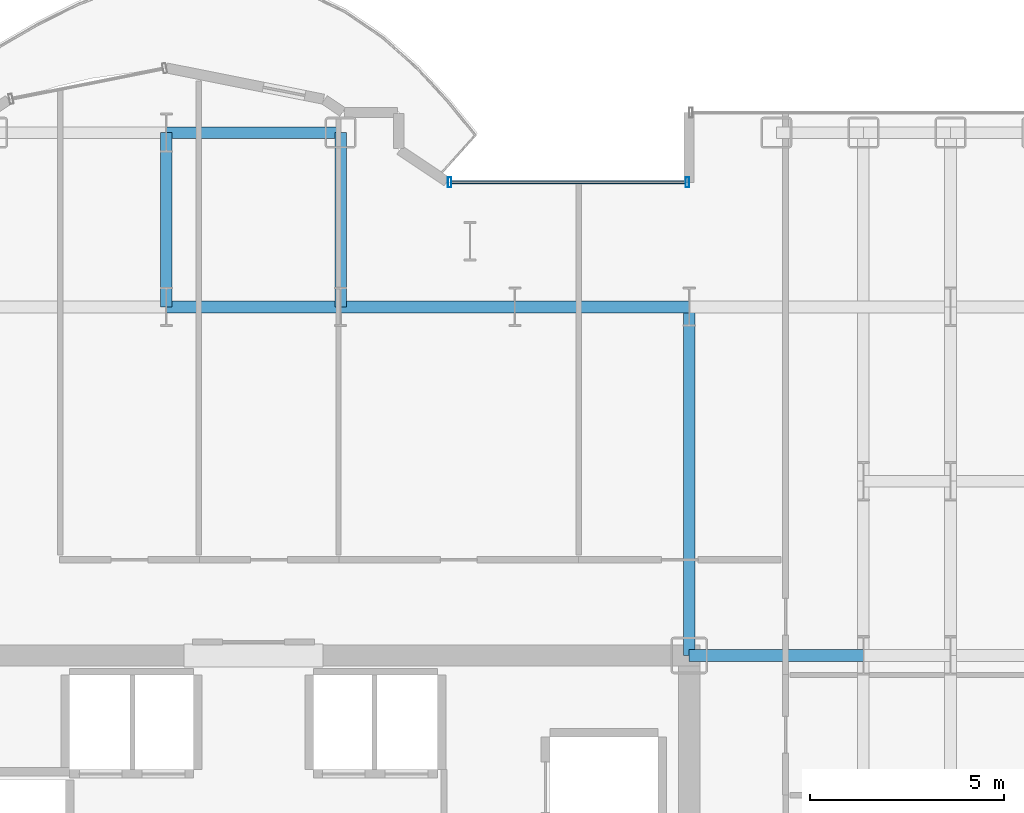
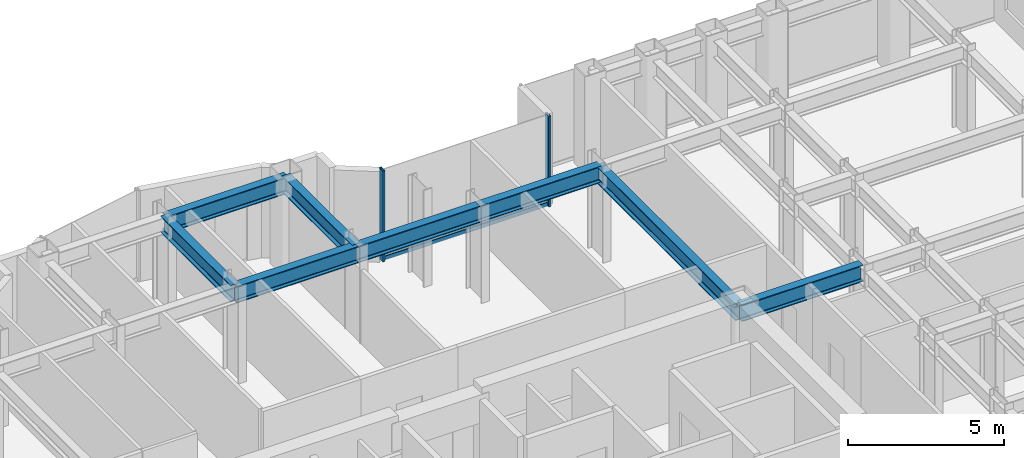
# One storey, part 14 of 29: 8 beams, 3 members, 1 element without a shape of its own.
"""IFC4 building model written with IfcOpenShell, lengths in metres."""

from ifc_helpers import new_model, si_unit, direction, frame, origin, origin_2d, place, context, subcontext, project, spatial, hollow_rectangle, i_section, extrude, source, transform, mapped, material, layer, layer_set, material_profile, profile_set, type_object, element, aggregate, save


model = new_model("IFC4")

# Units and contexts
model_context = context("Model", 3, precision=1e-05, world=origin(), true_north=direction((0.0, 1.0)))
body_context = subcontext(model_context, "Body", "Model", "MODEL_VIEW")
ifc_project = project(units=[si_unit("LENGTHUNIT", "METRE"), si_unit("AREAUNIT", "SQUARE_METRE"), si_unit("VOLUMEUNIT", "CUBIC_METRE"), si_unit("PLANEANGLEUNIT", "RADIAN"), si_unit("MASSUNIT", "GRAM", prefix="KILO")], contexts=[model_context])

# Site, building, storey
site_placement = place(None, origin())
site = spatial("IfcSite", under=ifc_project, at=site_placement, CompositionType="ELEMENT")
building_placement = place(site_placement, origin())
building = spatial("IfcBuilding", under=site, at=building_placement, Name="Nefas-Gora Pilgrimage Tower", CompositionType="ELEMENT")
storey_placement = place(building_placement, frame((0.0, 0.0, 125.0)))
storey = spatial("IfcBuildingStorey", under=building, at=storey_placement, Name="L30", CompositionType="ELEMENT", Elevation=125.0)

# Beams
ifc_material_1 = material(Name="Steel S355", Category="steel")
ifc_material_profile_1 = material_profile(ifc_material_1, i_section(OverallWidth=0.300048828125, OverallDepth=0.64990234375, WebThickness=0.01611328125, FlangeThickness=0.031005859375, FilletRadius=0.027099609375, at=origin_2d()), Name="HEB 650")
ifc_profile_set_1 = profile_set([ifc_material_profile_1], Name="Steel S355")
beam_type = type_object("IfcBeamType", Name="BM-GIR-HEB650", PredefinedType="BEAM", material=ifc_profile_set_1)
shared_shape_1 = source(origin(), body_context, "Body", "SweptSolid", [
    extrude(i_section(OverallWidth=0.300048828125, OverallDepth=0.64990234375, WebThickness=0.01611328125, FlangeThickness=0.031005859375, FilletRadius=0.027099609375, at=origin_2d()), origin(), (0.0, 0.0, 1.0), 9.0),
])
beam_placement = place(storey_placement, frame((11.25, 9.0, 3.22509765625), z_axis=(0.0, 1.0, 0.0), x_axis=(-1.0, 0.0, 0.0)))
element("IfcBeam", 1, at=beam_placement, inside=storey, type_object=beam_type, Name="L30 G-03 beam", PredefinedType="BEAM", context=body_context, shape_type="MappedRepresentation", body=[
    mapped(shared_shape_1, transform((0.0, 0.0, 0.0), x_axis=(1.0, 0.0, 0.0), y_axis=(0.0, 1.0, 0.0), z_axis=(0.0, 0.0, 1.0), scale=1.0)),
])
shared_shape_2 = source(origin(), body_context, "Body", "SweptSolid", [
    extrude(i_section(OverallWidth=0.300048828125, OverallDepth=0.64990234375, WebThickness=0.01611328125, FlangeThickness=0.031005859375, FilletRadius=0.027099609375, at=origin_2d()), origin(), (0.0, 0.0, 1.0), 4.5),
])
for number, where, z_axis, x_axis, name in (
    (2, (-2.25, 18.0, 3.22509765625), (0.0, 1.0, 0.0), (-1.0, 0.0, 0.0), "L30 G-03 beam"),
    (3, (-2.25, 18.0, 3.22509765625), (1.0, 0.0, 0.0), (0.0, 1.0, 0.0), "L30 G-03 beam"),
    (4, (-2.25, 22.5, 3.22509765625), (1.0, 0.0, 0.0), (0.0, 1.0, 0.0), "L30 G-03 beam"),
    (5, (2.25, 18.0, 3.22509765625), (0.0, 1.0, 0.0), (-1.0, 0.0, 0.0), "L30 G-03 beam"),
    (6, (2.25, 18.0, 3.22509765625), (1.0, 0.0, 0.0), (0.0, 1.0, 0.0), "L30 G-03 beam"),
    (7, (6.75, 18.0, 3.22509765625), (1.0, 0.0, 0.0), (0.0, 1.0, 0.0), "L30 G-03 beam"),
    (8, (11.25, 9.0, 3.22509765625), (1.0, 0.0, 0.0), (0.0, 1.0, 0.0), "L30 G-03 beam"),
):
    element("IfcBeam", number, at=place(storey_placement, frame(where, z_axis=z_axis, x_axis=x_axis)), inside=storey, type_object=beam_type, Name=name, PredefinedType="BEAM", context=body_context, shape_type="MappedRepresentation", body=[
        mapped(shared_shape_2, transform((0.0, 0.0, 0.0), x_axis=(1.0, 0.0, 0.0), y_axis=(0.0, 1.0, 0.0), z_axis=(0.0, 0.0, 1.0), scale=1.0)),
    ])

# Curtain wall, members
ifc_material_2 = material(Name="Dark ceramic-fritted solar-control aluminium-glass curtain wall", Category="aluminium")
ifc_layer = layer(ifc_material_2, 0.219970703125)
ifc_layer_set = layer_set([ifc_layer], Name="Dark ceramic-fritted solar-control aluminium-glass curtain wall")
curtain_wall_type = type_object("IfcCurtainWallType", Name="CW-SYS-5", PredefinedType="NOTDEFINED", material=ifc_layer_set)
curtain_wall_placement = place(storey_placement, origin())
curtain_wall = element("IfcCurtainWall", 9, at=curtain_wall_placement, inside=storey, type_object=curtain_wall_type, Name="L30 Unitised Curtain Wall CW5", PredefinedType="NOTDEFINED")
ifc_material_3 = material(Name="Anodised architectural aluminium", Category="aluminium")
ifc_material_profile_2 = material_profile(ifc_material_3, hollow_rectangle(XDim=0.090087890625, YDim=0.260009765625, WallThickness=0.006103515625, InnerFilletRadius=0.006103515625, OuterFilletRadius=0.011962890625, at=origin_2d()), Name="ALU MULLION 90x260")
ifc_profile_set_2 = profile_set([ifc_material_profile_2], Name="Anodised architectural aluminium")
member_type_1 = type_object("IfcMemberType", Name="CWM-MUL-5", PredefinedType="MULLION", material=ifc_profile_set_2)
shared_shape_3 = source(origin(), body_context, "Body", "SweptSolid", [
    extrude(hollow_rectangle(XDim=0.090087890625, YDim=0.260009765625, WallThickness=0.006103515625, InnerFilletRadius=0.006103515625, OuterFilletRadius=0.011962890625, at=origin_2d()), origin(), (0.0, 0.0, 1.0), 3.550048828125),
])
member_1_placement = place(storey_placement, frame((11.205078125, 21.219970703125, 0.0), z_axis=(0.0, 0.0, 1.0), x_axis=(-1.0, 0.0, 0.0)))
member_1 = element("IfcMember", 10, at=member_1_placement, type_object=member_type_1, Name="CW5 Mullion 1", PredefinedType="MULLION", context=body_context, shape_type="MappedRepresentation", body=[
    mapped(shared_shape_3, transform((0.0, 0.0, 0.0), x_axis=(1.0, 0.0, 0.0), y_axis=(0.0, 1.0, 0.0), z_axis=(0.0, 0.0, 1.0), scale=1.0)),
])
member_2_placement = place(storey_placement, frame((5.06298828125, 21.219970703125, 0.0), z_axis=(0.0, 0.0, 1.0), x_axis=(-1.0, 0.0, 0.0)))
member_2 = element("IfcMember", 11, at=member_2_placement, type_object=member_type_1, Name="CW5 Mullion 2", PredefinedType="MULLION", context=body_context, shape_type="MappedRepresentation", body=[
    mapped(shared_shape_3, transform((0.0, 0.0, 0.0), x_axis=(1.0, 0.0, 0.0), y_axis=(0.0, 1.0, 0.0), z_axis=(0.0, 0.0, 1.0), scale=1.0)),
])
ifc_material_profile_3 = material_profile(ifc_material_3, hollow_rectangle(XDim=0.080078125, YDim=0.159912109375, WallThickness=0.00439453125, InnerFilletRadius=0.00439453125, OuterFilletRadius=0.009033203125, at=origin_2d()), Name="ALU TRANSOM 80x160")
ifc_profile_set_3 = profile_set([ifc_material_profile_3], Name="Anodised architectural aluminium")
member_type_2 = type_object("IfcMemberType", Name="CWM-TRN-5", PredefinedType="USERDEFINED", material=ifc_profile_set_3)
shared_shape_4 = source(origin(), body_context, "Body", "SweptSolid", [
    extrude(hollow_rectangle(XDim=0.080078125, YDim=0.159912109375, WallThickness=0.00439453125, InnerFilletRadius=0.00439453125, OuterFilletRadius=0.009033203125, at=origin_2d()), origin(), (0.0, 0.0, 1.0), 6.052001953125),
])
member_3_placement = place(storey_placement, frame((11.159912109375, 21.219970703125, 0.050048828125), z_axis=(-1.0, 0.0, 0.0), x_axis=(0.0, -1.0, 0.0)))
member_3 = element("IfcMember", 12, at=member_3_placement, type_object=member_type_2, Name="CW5 Spandrel Transom", ObjectType="TRANSOM", PredefinedType="USERDEFINED", context=body_context, shape_type="MappedRepresentation", body=[
    mapped(shared_shape_4, transform((0.0, 0.0, 0.0), x_axis=(1.0, 0.0, 0.0), y_axis=(0.0, 1.0, 0.0), z_axis=(0.0, 0.0, 1.0), scale=1.0)),
])
aggregate(curtain_wall, [member_1, member_2, member_3])

save(model, "model.ifc")
